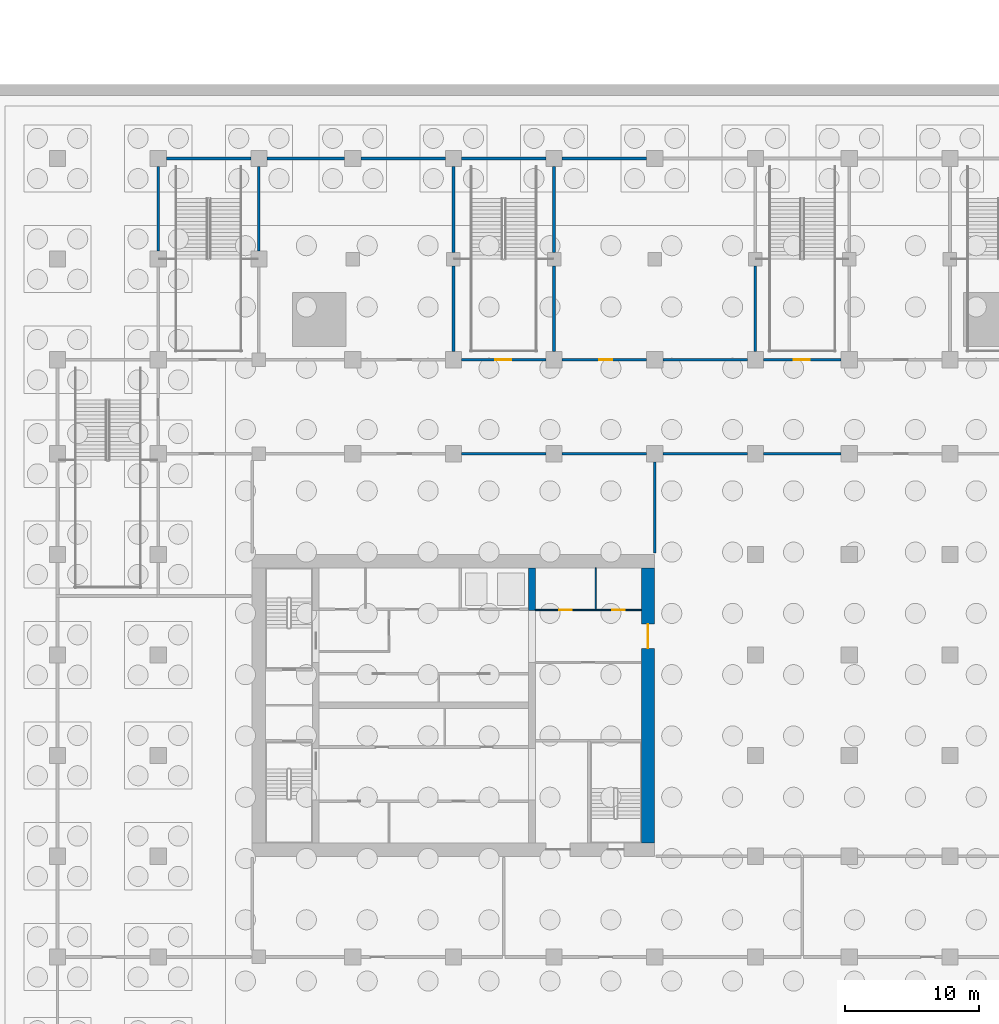
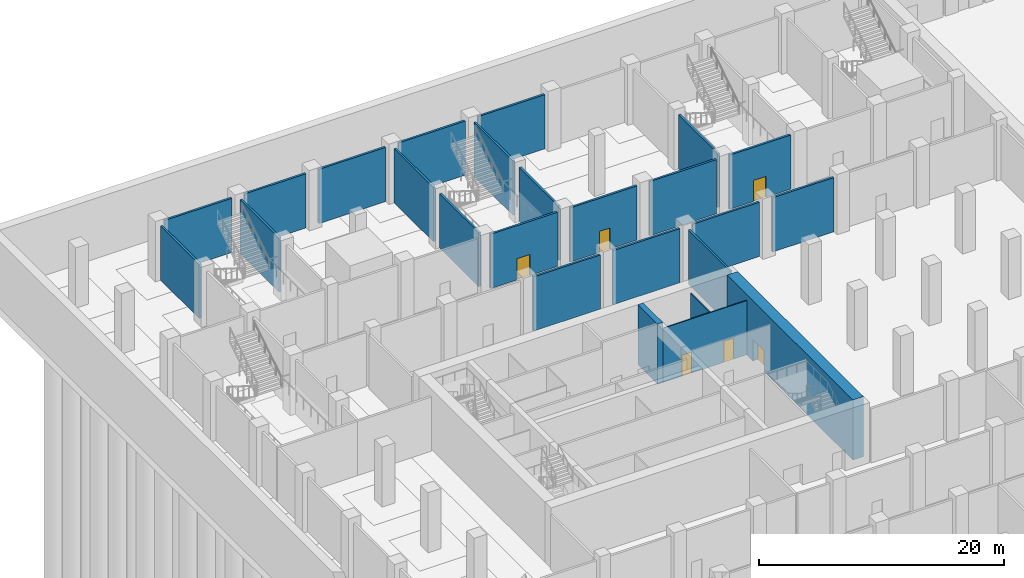
# One storey, part 11 of 39: 25 walls, 6 doors, 6 openings.
"""IFC4 building model written with IfcOpenShell, lengths in metres."""

from ifc_helpers import new_model, si_unit, direction, frame, frame_2d, origin, place, context, subcontext, project, spatial, rectangle, extrude, material, layer, layer_set, type_object, element, fill, save


model = new_model("IFC4")

# Units and contexts
model_context = context("Model", 3, precision=1e-05, world=origin(), true_north=direction((0.0, 1.0)))
body_context = subcontext(model_context, "Body", "Model", "MODEL_VIEW")
ifc_project = project(units=[si_unit("LENGTHUNIT", "METRE"), si_unit("AREAUNIT", "SQUARE_METRE"), si_unit("VOLUMEUNIT", "CUBIC_METRE"), si_unit("PLANEANGLEUNIT", "RADIAN"), si_unit("MASSUNIT", "GRAM", prefix="KILO")], contexts=[model_context])

# Site, building, storey
site_placement = place(None, origin())
site = spatial("IfcSite", under=ifc_project, at=site_placement, CompositionType="ELEMENT")
building_placement = place(site_placement, origin())
building = spatial("IfcBuilding", under=site, at=building_placement, Name="Tamorin Gate", CompositionType="ELEMENT")
storey_placement = place(building_placement, frame((0.0, 0.0, -12.0)))
storey = spatial("IfcBuildingStorey", under=building, at=storey_placement, Name="B2", CompositionType="ELEMENT", Elevation=-12.0)

# Walls
ifc_material_1 = material(Name="Concrete masonry C20/25", Category="masonry")
ifc_layer_1 = layer(ifc_material_1, 0.199951171875)
ifc_layer_set_1 = layer_set([ifc_layer_1], Name="Plant room wall 200")
wall_type_1 = type_object("IfcWallType", Name="Plant room wall 200", PredefinedType="PARTITIONING", material=ifc_layer_set_1)
for number, where, z_axis, x_axis, name in (
    (1, (45.60009765625, 90.0, 0.0), (0.0, 0.0, 1.0), (1.0, 0.0, 0.0), "Plant room wall 200 B2"),
    (2, (53.10009765625, 90.0, 0.0), (0.0, 0.0, 1.0), (1.0, 0.0, 0.0), "Plant room wall 200 B2"),
    (3, (60.60009765625, 90.0, 0.0), (0.0, 0.0, 1.0), (1.0, 0.0, 0.0), "Plant room wall 200 B2"),
):
    element("IfcWall", number, at=place(storey_placement, frame(where, z_axis=z_axis, x_axis=x_axis)), inside=storey, type_object=wall_type_1, Name=name, PredefinedType="PARTITIONING", context=body_context, shape_type="SweptSolid", body=[
        extrude(rectangle(XDim=6.2998046875, YDim=0.199951171875, at=frame_2d((3.14990234375, 0.0))), origin(), (0.0, 0.0, 1.0), 5.39990234375),
    ])
wall_1_placement = place(storey_placement, frame((68.10009765625, 90.0, 0.0), z_axis=(0.0, 0.0, 1.0), x_axis=(1.0, 0.0, 0.0)))
element("IfcWall", 4, at=wall_1_placement, inside=storey, type_object=wall_type_1, Name="Plant room wall 200 B2", PredefinedType="PARTITIONING", context=body_context, shape_type="SweptSolid", body=[
    extrude(rectangle(XDim=5.7998046875, YDim=0.199951171875, at=frame_2d((2.89990234375, 0.0))), origin(), (0.0, 0.0, 1.0), 5.39990234375),
])

# Wall, opening, door
wall_2_placement = place(storey_placement, frame((59.39990234375, 97.0, 0.0), z_axis=(0.0, 0.0, 1.0), x_axis=(-1.0, 0.0, 0.0)))
wall_2 = element("IfcWall", 5, at=wall_2_placement, inside=storey, type_object=wall_type_1, Name="Plant room wall 200 B2", PredefinedType="PARTITIONING", context=body_context, shape_type="SweptSolid", body=[
    extrude(rectangle(XDim=6.2998046875, YDim=0.199951171875, at=frame_2d((3.14990234375, 0.0))), origin(), (0.0, 0.0, 1.0), 5.39990234375),
])
opening_1_placement = place(wall_2_placement, frame((2.550048828125, 0.0, 0.0)))
opening_1 = element("IfcOpeningElement", 6, at=opening_1_placement, cuts=wall_2, Name="Opening DP2", PredefinedType="OPENING", context=body_context, shape_type="SweptSolid", body=[
    extrude(rectangle(XDim=1.0, YDim=2.10009765625, at=frame_2d((0.5, 1.050048828125))), frame((0.0, 0.10986328125, 0.0), z_axis=(0.0, -1.0, 0.0), x_axis=(1.0, 0.0, 0.0)), (0.0, 0.0, 1.0), 0.219970703125),
])
ifc_material_2 = material(Name="Painted steel", Category="steel")
door_type_1 = type_object("IfcDoorType", Name="Door single 1000", OperationType="SINGLE_SWING_LEFT", PredefinedType="DOOR", material=ifc_material_2)
door_1_placement = place(opening_1_placement, origin())
door_1 = element("IfcDoor", 7, at=door_1_placement, inside=storey, type_object=door_type_1, Name="Door single 1000 B2", OperationType="SINGLE_SWING_LEFT", OverallHeight=2.10009765625, OverallWidth=1.0, PredefinedType="DOOR", context=body_context, shape_type="SweptSolid", body=[
    extrude(rectangle(XDim=1.0, YDim=2.10009765625, at=frame_2d((0.5, 1.050048828125))), frame((0.0, 0.02490234375, 0.0), z_axis=(0.0, -1.0, 0.0), x_axis=(1.0, 0.0, 0.0)), (0.0, 0.0, 1.0), 0.050048828125),
])
fill(opening_1, door_1)

# Walls
wall_3_placement = place(storey_placement, frame((60.60009765625, 97.0, 0.0), z_axis=(0.0, 0.0, 1.0), x_axis=(1.0, 0.0, 0.0)))
element("IfcWall", 8, at=wall_3_placement, inside=storey, type_object=wall_type_1, Name="Plant room wall 200 B2", PredefinedType="PARTITIONING", context=body_context, shape_type="SweptSolid", body=[
    extrude(rectangle(XDim=6.2998046875, YDim=0.199951171875, at=frame_2d((3.14990234375, 0.0))), origin(), (0.0, 0.0, 1.0), 5.39990234375),
])
wall_4_placement = place(storey_placement, frame((31.10009765625, 112.0, 0.0), z_axis=(0.0, 0.0, 1.0), x_axis=(1.0, 0.0, 0.0)))
element("IfcWall", 9, at=wall_4_placement, inside=storey, type_object=wall_type_1, Name="Plant room wall 200 B2", PredefinedType="PARTITIONING", context=body_context, shape_type="SweptSolid", body=[
    extrude(rectangle(XDim=5.7998046875, YDim=0.199951171875, at=frame_2d((2.89990234375, 0.0))), origin(), (0.0, 0.0, 1.0), 5.39990234375),
])
for number, where, z_axis, x_axis, name in (
    (10, (38.10009765625, 112.0, 0.0), (0.0, 0.0, 1.0), (1.0, 0.0, 0.0), "Plant room wall 200 B2"),
    (11, (53.10009765625, 112.0, 0.0), (0.0, 0.0, 1.0), (1.0, 0.0, 0.0), "Plant room wall 200 B2"),
):
    element("IfcWall", number, at=place(storey_placement, frame(where, z_axis=z_axis, x_axis=x_axis)), inside=storey, type_object=wall_type_1, Name=name, PredefinedType="PARTITIONING", context=body_context, shape_type="SweptSolid", body=[
        extrude(rectangle(XDim=6.2998046875, YDim=0.199951171875, at=frame_2d((3.14990234375, 0.0))), origin(), (0.0, 0.0, 1.0), 5.39990234375),
    ])
wall_5_placement = place(storey_placement, frame((60.0, 82.60009765625, 0.0), z_axis=(0.0, 0.0, 1.0), x_axis=(0.0, 1.0, 0.0)))
element("IfcWall", 12, at=wall_5_placement, inside=storey, type_object=wall_type_1, Name="Plant room wall 200 B2", PredefinedType="PARTITIONING", context=body_context, shape_type="SweptSolid", body=[
    extrude(rectangle(XDim=6.7998046875, YDim=0.199951171875, at=frame_2d((3.39990234375, 0.0))), origin(), (0.0, 0.0, 1.0), 5.39990234375),
])
ifc_material_3 = material(Name="Concrete C80/95", Category="concrete")
ifc_layer_2 = layer(ifc_material_3, 0.5)
ifc_layer_set_2 = layer_set([ifc_layer_2], Name="RC core internal wall 500 C80/95")
wall_type_2 = type_object("IfcWallType", Name="RC core internal wall 500 C80/95", PredefinedType="SHEAR", material=ifc_layer_set_2)
wall_6_placement = place(storey_placement, frame((50.85009765625, 78.300048828125, 0.0), z_axis=(0.0, 0.0, 1.0), x_axis=(0.0, 1.0, 0.0)))
element("IfcWall", 13, at=wall_6_placement, inside=storey, type_object=wall_type_2, Name="Core cross wall B2", PredefinedType="SHEAR", context=body_context, shape_type="SweptSolid", body=[
    extrude(rectangle(XDim=3.199951171875, YDim=0.5, at=frame_2d((1.60009765625, 0.0))), origin(), (0.0, 0.0, 1.0), 6.0),
])

# Wall, opening, door
ifc_layer_3 = layer(ifc_material_3, 1.0)
ifc_layer_set_3 = layer_set([ifc_layer_3], Name="RC core wall 1000 C80/95")
wall_type_3 = type_object("IfcWallType", Name="RC core wall 1000 C80/95", PredefinedType="SHEAR", material=ifc_layer_set_3)
wall_7_placement = place(storey_placement, frame((59.5, 61.0, 0.0), z_axis=(0.0, 0.0, 1.0), x_axis=(0.0, 1.0, 0.0)))
wall_7 = element("IfcWall", 14, at=wall_7_placement, inside=storey, type_object=wall_type_3, Name="Core wall B2", PredefinedType="SHEAR", context=body_context, shape_type="SweptSolid", body=[
    extrude(rectangle(XDim=20.5, YDim=1.0, at=frame_2d((10.25, 0.0))), origin(), (0.0, 0.0, 1.0), 6.0),
])
opening_2_placement = place(wall_7_placement, frame((14.5, 0.0, 0.0)))
opening_2 = element("IfcOpeningElement", 15, at=opening_2_placement, cuts=wall_7, Name="Opening DE1", PredefinedType="OPENING", context=body_context, shape_type="SweptSolid", body=[
    extrude(rectangle(XDim=1.800048828125, YDim=2.10009765625, at=frame_2d((0.89990234375, 1.050048828125))), frame((0.0, 0.510009765625, 0.0), z_axis=(0.0, -1.0, 0.0), x_axis=(1.0, 0.0, 0.0)), (0.0, 0.0, 1.0), 1.02001953125),
])
ifc_material_4 = material(Name="Steel fire door", Category="steel")
door_type_2 = type_object("IfcDoorType", Name="Lobby exit double door 1800 x 2100 EI 60", OperationType="DOUBLE_DOOR_SINGLE_SWING", PredefinedType="DOOR", material=ifc_material_4)
door_2_placement = place(opening_2_placement, origin())
door_2 = element("IfcDoor", 16, at=door_2_placement, inside=storey, type_object=door_type_2, Name="Lift lobby B exit door", OperationType="DOUBLE_DOOR_SINGLE_SWING", OverallHeight=2.10009765625, OverallWidth=1.800048828125, PredefinedType="DOOR", context=body_context, shape_type="SweptSolid", body=[
    extrude(rectangle(XDim=1.800048828125, YDim=2.10009765625, at=frame_2d((0.89990234375, 1.050048828125))), frame((0.0, 0.02490234375, 0.0), z_axis=(0.0, -1.0, 0.0), x_axis=(1.0, 0.0, 0.0)), (0.0, 0.0, 1.0), 0.050048828125),
])
fill(opening_2, door_2)

# Wall, openings, doors
ifc_material_5 = material(Name="Gypsum board partition")
ifc_layer_4 = layer(ifc_material_5, 0.10009765625)
ifc_layer_set_4 = layer_set([ifc_layer_4], Name="Service room partition 100 EI 60")
wall_type_4 = type_object("IfcWallType", Name="Service room partition 100 EI 60", PredefinedType="PARTITIONING", material=ifc_layer_set_4)
wall_8_placement = place(storey_placement, frame((51.10009765625, 78.35009765625, 0.0), z_axis=(0.0, 0.0, 1.0), x_axis=(1.0, 0.0, 0.0)))
wall_8 = element("IfcWall", 17, at=wall_8_placement, inside=storey, type_object=wall_type_4, Name="Service room wall", PredefinedType="PARTITIONING", context=body_context, shape_type="SweptSolid", body=[
    extrude(rectangle(XDim=7.89990234375, YDim=0.10009765625, at=frame_2d((3.949951171875, 0.0))), origin(), (0.0, 0.0, 1.0), 5.39990234375),
])
opening_3_placement = place(wall_8_placement, frame((1.800048828125, 0.0, 0.0)))
opening_3 = element("IfcOpeningElement", 18, at=opening_3_placement, cuts=wall_8, Name="Opening DK1", PredefinedType="OPENING", context=body_context, shape_type="SweptSolid", body=[
    extrude(rectangle(XDim=0.89990234375, YDim=2.10009765625, at=frame_2d((0.449951171875, 1.050048828125))), frame((0.0, 0.06005859375, 0.0), z_axis=(0.0, -1.0, 0.0), x_axis=(1.0, 0.0, 0.0)), (0.0, 0.0, 1.0), 0.1201171875),
])
opening_4_placement = place(wall_8_placement, frame((5.75, 0.0, 0.0)))
opening_4 = element("IfcOpeningElement", 19, at=opening_4_placement, cuts=wall_8, Name="Opening DK1", PredefinedType="OPENING", context=body_context, shape_type="SweptSolid", body=[
    extrude(rectangle(XDim=0.89990234375, YDim=2.10009765625, at=frame_2d((0.449951171875, 1.050048828125))), frame((0.0, 0.06005859375, 0.0), z_axis=(0.0, -1.0, 0.0), x_axis=(1.0, 0.0, 0.0)), (0.0, 0.0, 1.0), 0.1201171875),
])
ifc_material_6 = material(Name="Timber fire door", Category="wood")
door_type_3 = type_object("IfcDoorType", Name="Service room door 900 x 2100 EI 60", OperationType="SINGLE_SWING_LEFT", PredefinedType="DOOR", material=ifc_material_6)
door_3_placement = place(opening_3_placement, origin())
door_3 = element("IfcDoor", 20, at=door_3_placement, inside=storey, type_object=door_type_3, Name="Door Waste store", OperationType="SINGLE_SWING_RIGHT", OverallHeight=2.10009765625, OverallWidth=0.89990234375, PredefinedType="DOOR", context=body_context, shape_type="SweptSolid", body=[
    extrude(rectangle(XDim=0.89990234375, YDim=2.10009765625, at=frame_2d((0.449951171875, 1.050048828125))), frame((0.0, 0.02490234375, 0.0), z_axis=(0.0, -1.0, 0.0), x_axis=(1.0, 0.0, 0.0)), (0.0, 0.0, 1.0), 0.050048828125),
])
fill(opening_3, door_3)
door_4_placement = place(opening_4_placement, origin())
door_4 = element("IfcDoor", 21, at=door_4_placement, inside=storey, type_object=door_type_3, Name="Door Cable riser store", OperationType="SINGLE_SWING_LEFT", OverallHeight=2.10009765625, OverallWidth=0.89990234375, PredefinedType="DOOR", context=body_context, shape_type="SweptSolid", body=[
    extrude(rectangle(XDim=0.89990234375, YDim=2.10009765625, at=frame_2d((0.449951171875, 1.050048828125))), frame((0.0, 0.02490234375, 0.0), z_axis=(0.0, -1.0, 0.0), x_axis=(1.0, 0.0, 0.0)), (0.0, 0.0, 1.0), 0.050048828125),
])
fill(opening_4, door_4)

# Wall
wall_9_placement = place(storey_placement, frame((55.60009765625, 78.39990234375, 0.0), z_axis=(0.0, 0.0, 1.0), x_axis=(0.0, 1.0, 0.0)))
element("IfcWall", 22, at=wall_9_placement, inside=storey, type_object=wall_type_4, Name="Service room partition", PredefinedType="PARTITIONING", context=body_context, shape_type="SweptSolid", body=[
    extrude(rectangle(XDim=3.10009765625, YDim=0.10009765625, at=frame_2d((1.550048828125, 0.0))), origin(), (0.0, 0.0, 1.0), 5.39990234375),
])

# Wall, opening, door
ifc_material_7 = material(Name="Concrete C40/50", Category="concrete")
ifc_layer_5 = layer(ifc_material_7, 0.199951171875)
ifc_layer_set_5 = layer_set([ifc_layer_5], Name="Stair enclosure 200")
wall_type_5 = type_object("IfcWallType", Name="Stair enclosure 200", PredefinedType="SHEAR", material=ifc_layer_set_5)
wall_10_placement = place(storey_placement, frame((45.60009765625, 97.0, 0.0), z_axis=(0.0, 0.0, 1.0), x_axis=(1.0, 0.0, 0.0)))
wall_10 = element("IfcWall", 23, at=wall_10_placement, inside=storey, type_object=wall_type_5, Name="Stair enclosure 200 B2", PredefinedType="SHEAR", context=body_context, shape_type="SweptSolid", body=[
    extrude(rectangle(XDim=6.2998046875, YDim=0.199951171875, at=frame_2d((3.14990234375, 0.0))), origin(), (0.0, 0.0, 1.0), 5.39990234375),
])
opening_5_placement = place(wall_10_placement, frame((2.5, 0.0, 0.0)))
opening_5 = element("IfcOpeningElement", 24, at=opening_5_placement, cuts=wall_10, Name="Opening DP5", PredefinedType="OPENING", context=body_context, shape_type="SweptSolid", body=[
    extrude(rectangle(XDim=1.199951171875, YDim=2.10009765625, at=frame_2d((0.60009765625, 1.050048828125))), frame((0.0, 0.10986328125, 0.0), z_axis=(0.0, -1.0, 0.0), x_axis=(1.0, 0.0, 0.0)), (0.0, 0.0, 1.0), 0.219970703125),
])
door_type_4 = type_object("IfcDoorType", Name="Stair door 1200", OperationType="SINGLE_SWING_LEFT", PredefinedType="DOOR", material=ifc_material_2)
door_5_placement = place(opening_5_placement, origin())
door_5 = element("IfcDoor", 25, at=door_5_placement, inside=storey, type_object=door_type_4, Name="Stair door 1200 B2", OperationType="SINGLE_SWING_LEFT", OverallHeight=2.10009765625, OverallWidth=1.199951171875, PredefinedType="DOOR", context=body_context, shape_type="SweptSolid", body=[
    extrude(rectangle(XDim=1.199951171875, YDim=2.10009765625, at=frame_2d((0.60009765625, 1.050048828125))), frame((0.0, 0.02490234375, 0.0), z_axis=(0.0, -1.0, 0.0), x_axis=(1.0, 0.0, 0.0)), (0.0, 0.0, 1.0), 0.050048828125),
])
fill(opening_5, door_5)

wall_11_placement = place(storey_placement, frame((68.10009765625, 97.0, 0.0), z_axis=(0.0, 0.0, 1.0), x_axis=(1.0, 0.0, 0.0)))
wall_11 = element("IfcWall", 26, at=wall_11_placement, inside=storey, type_object=wall_type_5, Name="Stair enclosure 200 B2", PredefinedType="SHEAR", context=body_context, shape_type="SweptSolid", body=[
    extrude(rectangle(XDim=5.7998046875, YDim=0.199951171875, at=frame_2d((2.89990234375, 0.0))), origin(), (0.0, 0.0, 1.0), 5.39990234375),
])
opening_6_placement = place(wall_11_placement, frame((2.25, 0.0, 0.0)))
opening_6 = element("IfcOpeningElement", 27, at=opening_6_placement, cuts=wall_11, Name="Opening DP5", PredefinedType="OPENING", context=body_context, shape_type="SweptSolid", body=[
    extrude(rectangle(XDim=1.199951171875, YDim=2.10009765625, at=frame_2d((0.60009765625, 1.050048828125))), frame((0.0, 0.10986328125, 0.0), z_axis=(0.0, -1.0, 0.0), x_axis=(1.0, 0.0, 0.0)), (0.0, 0.0, 1.0), 0.219970703125),
])
door_6_placement = place(opening_6_placement, origin())
door_6 = element("IfcDoor", 28, at=door_6_placement, inside=storey, type_object=door_type_4, Name="Stair door 1200 B2", OperationType="SINGLE_SWING_LEFT", OverallHeight=2.10009765625, OverallWidth=1.199951171875, PredefinedType="DOOR", context=body_context, shape_type="SweptSolid", body=[
    extrude(rectangle(XDim=1.199951171875, YDim=2.10009765625, at=frame_2d((0.60009765625, 1.050048828125))), frame((0.0, 0.02490234375, 0.0), z_axis=(0.0, -1.0, 0.0), x_axis=(1.0, 0.0, 0.0)), (0.0, 0.0, 1.0), 0.050048828125),
])
fill(opening_6, door_6)

# Walls
for number, where, z_axis, x_axis, name in (
    (29, (23.60009765625, 112.0, 0.0), (0.0, 0.0, 1.0), (1.0, 0.0, 0.0), "Stair enclosure 200 B2"),
    (30, (45.60009765625, 112.0, 0.0), (0.0, 0.0, 1.0), (1.0, 0.0, 0.0), "Stair enclosure 200 B2"),
    (31, (23.0, 105.10009765625, 0.0), (0.0, 0.0, 1.0), (0.0, 1.0, 0.0), "Stair enclosure 200 B2"),
    (32, (30.5, 105.10009765625, 0.0), (0.0, 0.0, 1.0), (0.0, 1.0, 0.0), "Stair enclosure 200 B2"),
):
    element("IfcWall", number, at=place(storey_placement, frame(where, z_axis=z_axis, x_axis=x_axis)), inside=storey, type_object=wall_type_5, Name=name, PredefinedType="SHEAR", context=body_context, shape_type="SweptSolid", body=[
        extrude(rectangle(XDim=6.2998046875, YDim=0.199951171875, at=frame_2d((3.14990234375, 0.0))), origin(), (0.0, 0.0, 1.0), 5.39990234375),
    ])
for number, where, z_axis, x_axis, name in (
    (33, (45.0, 97.60009765625, 0.0), (0.0, 0.0, 1.0), (0.0, 1.0, 0.0), "Stair enclosure 200 B2"),
    (34, (45.0, 105.0, 0.0), (0.0, 0.0, 1.0), (0.0, 1.0, 0.0), "Stair enclosure 200 B2"),
    (35, (52.5, 97.60009765625, 0.0), (0.0, 0.0, 1.0), (0.0, 1.0, 0.0), "Stair enclosure 200 B2"),
    (36, (52.5, 105.0, 0.0), (0.0, 0.0, 1.0), (0.0, 1.0, 0.0), "Stair enclosure 200 B2"),
    (37, (67.5, 97.60009765625, 0.0), (0.0, 0.0, 1.0), (0.0, 1.0, 0.0), "Stair enclosure 200 B2"),
):
    element("IfcWall", number, at=place(storey_placement, frame(where, z_axis=z_axis, x_axis=x_axis)), inside=storey, type_object=wall_type_5, Name=name, PredefinedType="SHEAR", context=body_context, shape_type="SweptSolid", body=[
        extrude(rectangle(XDim=6.39990234375, YDim=0.199951171875, at=frame_2d((3.199951171875, 0.0))), origin(), (0.0, 0.0, 1.0), 5.39990234375),
    ])

save(model, "model.ifc")
